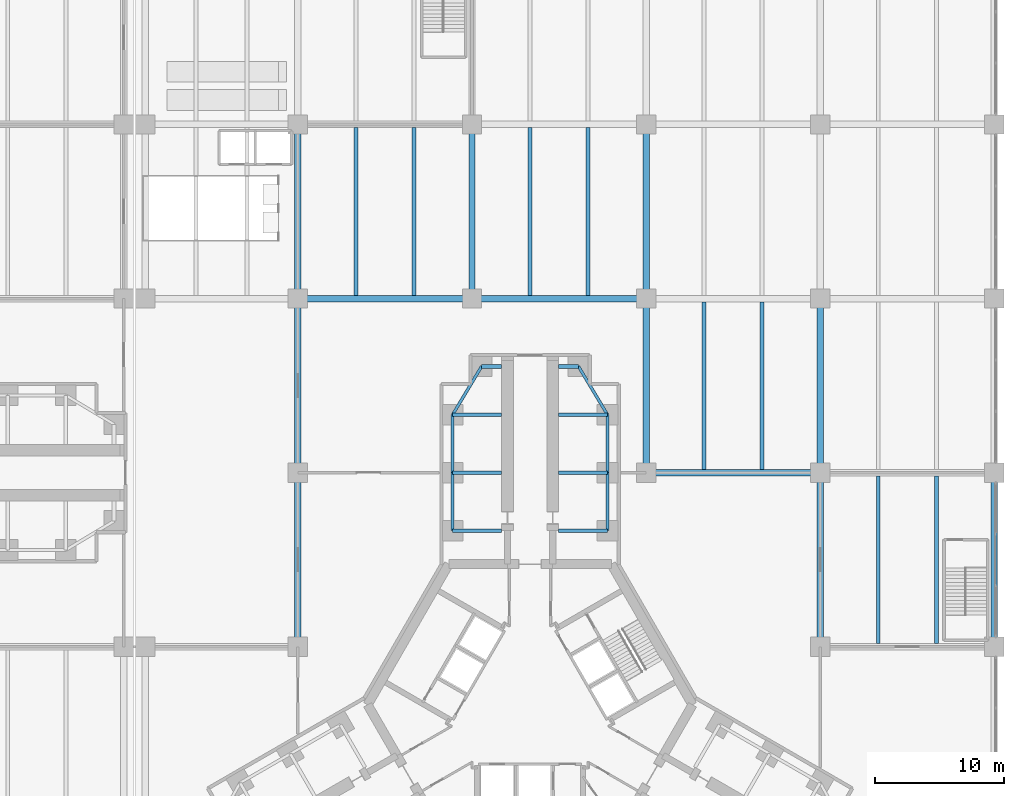
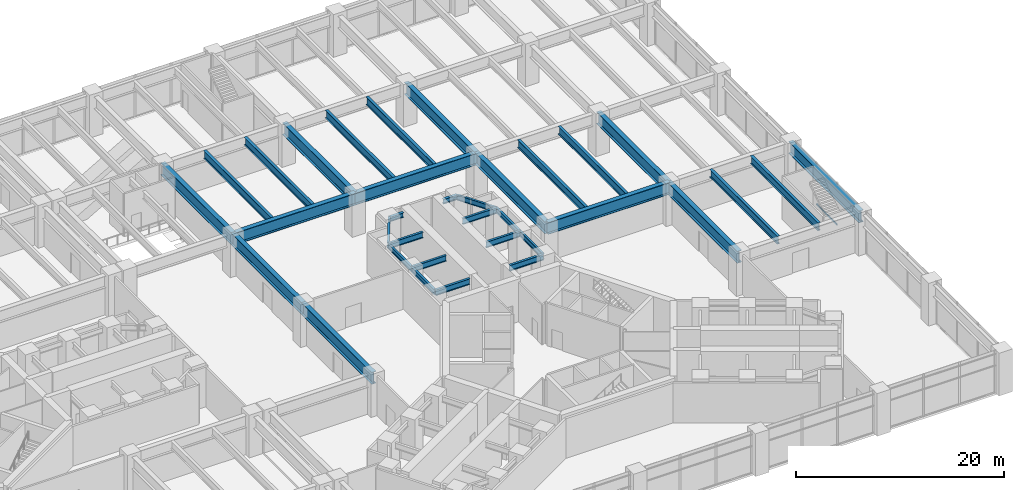
# One storey, part 11 of 32: 34 beams, 1 member, 1 element without a shape of its own.
"""IFC4 building model written with IfcOpenShell, lengths in metres."""

import ifcopenshell
import ifcopenshell.guid

model = None  # the IFC model being written
_history = None  # IfcOwnerHistory: only IFC2X3 demands one
_inside = {}  # id of a spatial element -> (the spatial element, [elements in it])
_under = {}  # id of a project, library or spatial element -> (it, [spatial elements below it])
_declared = {}  # id of a project -> (the project, [libraries it declares])
_typed = {}  # id of a type object -> (the type object, [elements of that type])
_made_of = {}  # id of a material, layer set ... -> (it, [elements and type objects made of it])


def new_model(schema):
    """Start an empty IFC model of exactly this schema.

    Asked for "IFC4X3", IfcOpenShell would pick the latest addendum, in which some entities
    have other attributes; the version numbers below select the first issue.
    IFC2X3 requires an IfcOwnerHistory on every rooted entity: one is made here for all.
    """
    global model, _history
    if schema == "IFC4X3":
        model = ifcopenshell.file(schema_version=(4, 3, 0, 0))
    else:
        model = ifcopenshell.file(schema=schema)
    _inside.clear()
    _under.clear()
    _declared.clear()
    _typed.clear()
    _made_of.clear()
    _history = None
    if model.schema == "IFC2X3":
        org = make("IfcOrganization", Name="unknown")
        user = make(
            "IfcPersonAndOrganization",
            ThePerson=make("IfcPerson", FamilyName="unknown"),
            TheOrganization=org,
        )
        app = make(
            "IfcApplication",
            ApplicationDeveloper=org,
            Version="unknown",
            ApplicationFullName="unknown",
            ApplicationIdentifier="unknown",
        )
        _history = make(
            "IfcOwnerHistory",
            OwningUser=user,
            OwningApplication=app,
            ChangeAction="ADDED",
            CreationDate=0,
        )
    return model


def make(cls, **values):
    """One entity of the class cls with the attributes given. An attribute that is None is left unset."""
    return model.create_entity(
        cls, **{name: value for name, value in values.items() if value is not None}
    )


def rooted(cls, **values):
    """An entity with a GlobalId (a new one), such as an element, a storey or a relation."""
    return make(cls, GlobalId=ifcopenshell.guid.new(), OwnerHistory=_history, **values)


def si_unit(unit_type, name, prefix=None):
    """IfcSIUnit, for example si_unit("LENGTHUNIT", "METRE", prefix="MILLI")."""
    return make("IfcSIUnit", UnitType=unit_type, Prefix=prefix, Name=name)


def assignment(units):
    """IfcUnitAssignment: the units of a project."""
    return None if units is None else make("IfcUnitAssignment", Units=units)


def point(xyz):
    """IfcCartesianPoint."""
    return None if xyz is None else make("IfcCartesianPoint", Coordinates=xyz)


def direction(xyz):
    """IfcDirection."""
    return None if xyz is None else make("IfcDirection", DirectionRatios=xyz)


def frame(location, z_axis=None, x_axis=None):
    """IfcAxis2Placement3D, a coordinate frame: its origin and axes. An axis left out is left unset."""
    return make(
        "IfcAxis2Placement3D",
        Location=point(location),
        Axis=direction(z_axis),
        RefDirection=direction(x_axis),
    )


def frame_2d(location, x_axis=None):
    """IfcAxis2Placement2D, a coordinate frame in the plane: its origin and x axis."""
    return make(
        "IfcAxis2Placement2D", Location=point(location), RefDirection=direction(x_axis)
    )


def origin():
    """The frame at (0, 0, 0) with its axes left unset."""
    return frame((0.0, 0.0, 0.0))


def origin_2d():
    """The frame at (0, 0) in the plane with its x axis left unset."""
    return frame_2d((0.0, 0.0))


def place(relative_to, where):
    """IfcLocalPlacement: puts the frame where relative to a parent placement (None: the world)."""
    return make(
        "IfcLocalPlacement", PlacementRelTo=relative_to, RelativePlacement=where
    )


def context(
    kind, dimensions, precision=None, world=None, true_north=None, identifier=None
):
    """IfcGeometricRepresentationContext, for example the 3D "Model" context."""
    return make(
        "IfcGeometricRepresentationContext",
        ContextIdentifier=identifier,
        ContextType=kind,
        CoordinateSpaceDimension=dimensions,
        Precision=precision,
        WorldCoordinateSystem=world,
        TrueNorth=true_north,
    )


def subcontext(parent, identifier, kind, view, scale=None):
    """IfcGeometricRepresentationSubContext, for example "Body" below "Model"."""
    return make(
        "IfcGeometricRepresentationSubContext",
        ContextIdentifier=identifier,
        ContextType=kind,
        ParentContext=parent,
        TargetScale=scale,
        TargetView=view,
    )


def project(units=None, contexts=None):
    """IfcProject with its units and contexts."""
    return rooted(
        "IfcProject",
        Name="project",
        RepresentationContexts=contexts,
        UnitsInContext=assignment(units),
    )


def spatial(cls, under=None, at=None, **own):
    """A site, building, storey or space (cls), placed at a placement, below another one or the project."""
    s = rooted(cls, ObjectPlacement=at, **own)
    if under is not None:
        _under.setdefault(under.id(), (under, []))[1].append(s)
    return s


def profile(cls, at=None, kind="AREA", **sizes):
    """A parametric profile (cls). Its sizes go by their IFC names, for example OverallWidth=200.0."""
    return make(cls, ProfileType=kind, Position=at, **sizes)


def rectangle(**sizes):
    """IfcRectangleProfileDef."""
    return profile("IfcRectangleProfileDef", **sizes)


def i_section(**sizes):
    """IfcIShapeProfileDef."""
    return profile("IfcIShapeProfileDef", **sizes)


def extrude(swept, where, along, depth):
    """IfcExtrudedAreaSolid: the profile swept, set in the frame where, extruded along a direction by depth."""
    return make(
        "IfcExtrudedAreaSolid",
        SweptArea=swept,
        Position=where,
        ExtrudedDirection=direction(along),
        Depth=depth,
    )


def shape(context_of_items, identifier, shape_type, items):
    """IfcShapeRepresentation: the items that make up one representation, for example the "Body"."""
    return make(
        "IfcShapeRepresentation",
        ContextOfItems=context_of_items,
        RepresentationIdentifier=identifier,
        RepresentationType=shape_type,
        Items=items,
    )


def material(Name=None, Category=None):
    """IfcMaterial."""
    return make("IfcMaterial", Name=Name, Category=Category)


def material_profile(
    of_material, cross_section, Name=None, Category=None, Priority=None
):
    """IfcMaterialProfile: a cross section and its material."""
    return make(
        "IfcMaterialProfile",
        Name=Name,
        Material=of_material,
        Profile=cross_section,
        Priority=Priority,
        Category=Category,
    )


def profile_set(profiles, Name=None, composite=None):
    """IfcMaterialProfileSet."""
    return make(
        "IfcMaterialProfileSet",
        Name=Name,
        MaterialProfiles=profiles,
        CompositeProfile=composite,
    )


def made_of(thing, what):
    """Note that an element or type object is made of a material, layer set ...; save() writes the relation."""
    if what is not None:
        _made_of.setdefault(what.id(), (what, []))[1].append(thing)
    return thing


def type_object(cls, material=None, **own):
    """A type object (cls), such as IfcWallType, which elements share."""
    return made_of(rooted(cls, **own), material)


def element(
    cls,
    number,
    at=None,
    inside=None,
    cuts=None,
    type_object=None,
    material=None,
    context=None,
    identifier="Body",
    shape_type=None,
    held_by="IfcProductDefinitionShape",
    body=None,
    shapes=None,
    **own,
):
    """One element of the class cls, such as IfcWall. Its Tag is "e" and its number.

    at: its placement. inside: the storey or other place that contains it. cuts: it is an
    opening in that element (IfcRelVoidsElement). A single representation is given by context,
    identifier, shape_type and body (its items); several are given by shapes. held_by: the class
    of the entity that holds the representations. save() writes the other relations.
    """
    e = rooted(cls, Tag="e%d" % number, ObjectPlacement=at, **own)
    if body is not None:
        shapes = [shape(context, identifier, shape_type, body)]
    if shapes is not None:
        e.Representation = make(held_by, Representations=shapes)
    if inside is not None:
        _inside.setdefault(inside.id(), (inside, []))[1].append(e)
    if cuts is not None:
        rooted(
            "IfcRelVoidsElement", RelatingBuildingElement=cuts, RelatedOpeningElement=e
        )
    if type_object is not None:
        _typed.setdefault(type_object.id(), (type_object, []))[1].append(e)
    return made_of(e, material)


def aggregate(whole, parts):
    """IfcRelAggregates: a whole, such as a stair, and the parts it consists of."""
    return rooted("IfcRelAggregates", RelatingObject=whole, RelatedObjects=parts)


def save(model, path):
    """Write the relations noted so far, then the file.

    IfcRelAggregates (storeys below a building ...), IfcRelContainedInSpatialStructure (elements
    in a storey), IfcRelDefinesByType, IfcRelAssociatesMaterial and IfcRelDeclares: one each for
    every whole, place, type object, material and project.
    """
    for whole, parts in _under.values():
        aggregate(whole, parts)
    for where, things in _inside.values():
        rooted(
            "IfcRelContainedInSpatialStructure",
            RelatedElements=things,
            RelatingStructure=where,
        )
    for kind, things in _typed.values():
        rooted("IfcRelDefinesByType", RelatedObjects=things, RelatingType=kind)
    for what, things in _made_of.values():
        rooted("IfcRelAssociatesMaterial", RelatedObjects=things, RelatingMaterial=what)
    for by, libraries in _declared.values():
        rooted("IfcRelDeclares", RelatingContext=by, RelatedDefinitions=libraries)
    model.write(path)


model = new_model("IFC4")

# Units and contexts
model_context = context("Model", 3, precision=1e-05, world=origin(), true_north=direction((0.0, 1.0)))
body_context = subcontext(model_context, "Body", "Model", "MODEL_VIEW")
ifc_project = project(units=[si_unit("LENGTHUNIT", "METRE"), si_unit("AREAUNIT", "SQUARE_METRE"), si_unit("VOLUMEUNIT", "CUBIC_METRE"), si_unit("PLANEANGLEUNIT", "RADIAN"), si_unit("MASSUNIT", "GRAM", prefix="KILO")], contexts=[model_context])

# Site, building, storey
site_placement = place(None, origin())
site = spatial("IfcSite", under=ifc_project, at=site_placement, CompositionType="ELEMENT")
building_placement = place(site_placement, origin())
building = spatial("IfcBuilding", under=site, at=building_placement, Name="Upepo Twin Towers", CompositionType="ELEMENT")
storey_placement = place(building_placement, frame((0.0, 0.0, 5.5)))
storey = spatial("IfcBuildingStorey", under=building, at=storey_placement, Name="L01", CompositionType="ELEMENT", Elevation=5.5)

# Beams
ifc_material_1 = material(Name="Steel S355", Category="steel")
ifc_material_profile_1 = material_profile(ifc_material_1, i_section(OverallWidth=0.5, OverallDepth=1.39990234375, WebThickness=0.02490234375, FlangeThickness=0.050048828125, FilletRadius=0.008056640625, at=origin_2d()), Name="PG 1400x500x25x50")
ifc_profile_set_1 = profile_set([ifc_material_profile_1], Name="Steel S355")
beam_type_1 = type_object("IfcBeamType", Name="Beam PG 1400x500x25x50", PredefinedType="BEAM", material=ifc_profile_set_1)
for number, where, z_axis, x_axis, name in (
    (1, (67.5, 0.0, 3.949951171875), (1.0, 0.0, 0.0), (0.0, 1.0, 0.0), "Podium girder D/8-9"),
    (2, (40.5, 13.5, 3.949951171875), (1.0, 0.0, 0.0), (0.0, 1.0, 0.0), "Podium girder E/6-7"),
    (3, (54.0, 13.5, 3.949951171875), (1.0, 0.0, 0.0), (0.0, 1.0, 0.0), "Podium girder E/7-8"),
    (4, (40.5, -13.5, 3.949951171875), (0.0, 1.0, 0.0), (-1.0, 0.0, 0.0), "Podium girder 6/C-D"),
    (5, (40.5, 0.0, 3.949951171875), (0.0, 1.0, 0.0), (-1.0, 0.0, 0.0), "Podium girder 6/D-E"),
    (6, (40.5, 13.5, 3.949951171875), (0.0, 1.0, 0.0), (-1.0, 0.0, 0.0), "Podium girder 6/E-F"),
    (7, (54.0, 13.5, 3.949951171875), (0.0, 1.0, 0.0), (-1.0, 0.0, 0.0), "Podium girder 7/E-F"),
    (8, (67.5, 0.0, 3.949951171875), (0.0, 1.0, 0.0), (-1.0, 0.0, 0.0), "Podium girder 8/D-E"),
    (9, (67.5, 13.5, 3.949951171875), (0.0, 1.0, 0.0), (-1.0, 0.0, 0.0), "Podium girder 8/E-F"),
    (10, (81.0, -13.5, 3.949951171875), (0.0, 1.0, 0.0), (-1.0, 0.0, 0.0), "Podium girder 9/C-D"),
    (11, (81.0, 0.0, 3.949951171875), (0.0, 1.0, 0.0), (-1.0, 0.0, 0.0), "Podium girder 9/D-E"),
    (12, (94.5, -13.5, 3.949951171875), (0.0, 1.0, 0.0), (-1.0, 0.0, 0.0), "Podium girder 10/C-D"),
):
    element("IfcBeam", number, at=place(storey_placement, frame(where, z_axis=z_axis, x_axis=x_axis)), inside=storey, type_object=beam_type_1, Name=name, PredefinedType="BEAM", context=body_context, shape_type="SweptSolid", body=[
        extrude(i_section(OverallWidth=0.5, OverallDepth=1.39990234375, WebThickness=0.02490234375, FlangeThickness=0.050048828125, FilletRadius=0.008056640625, at=origin_2d()), origin(), (0.0, 0.0, 1.0), 13.5),
    ])
ifc_material_2 = material(Name="Steel S355", Category="steel")
ifc_material_profile_2 = material_profile(ifc_material_2, i_section(OverallWidth=0.31201171875, OverallDepth=0.54345703125, WebThickness=0.0126953125, FlangeThickness=0.020263671875, FilletRadius=0.0126953125, at=origin_2d()), Name="UB 533x312x150")
ifc_profile_set_2 = profile_set([ifc_material_profile_2], Name="Steel S355")
beam_type_2 = type_object("IfcBeamType", Name="Beam UB 533x312x150", PredefinedType="BEAM", material=ifc_profile_set_2)
for number, where, z_axis, x_axis, name in (
    (13, (54.75, 8.25, 4.378173828125), (1.0, 0.0, 0.0), (0.0, 1.0, 0.0), "T2 nose beam AL"),
    (14, (62.25, 8.25, 4.378173828125), (-1.0, 0.0, 0.0), (0.0, -1.0, 0.0), "T2 nose beam AR"),
):
    element("IfcBeam", number, at=place(storey_placement, frame(where, z_axis=z_axis, x_axis=x_axis)), inside=storey, type_object=beam_type_2, Name=name, PredefinedType="BEAM", context=body_context, shape_type="SweptSolid", body=[
        extrude(i_section(OverallWidth=0.31201171875, OverallDepth=0.54345703125, WebThickness=0.0126953125, FlangeThickness=0.020263671875, FilletRadius=0.0126953125, at=origin_2d()), origin(), (0.0, 0.0, 1.0), 1.550048828125),
    ])
ifc_material_3 = material(Name="Steel S355", Category="steel")
ifc_material_profile_3 = material_profile(ifc_material_3, i_section(OverallWidth=0.228271484375, OverallDepth=0.607666015625, WebThickness=0.010986328125, FlangeThickness=0.017333984375, FilletRadius=0.0126953125, at=origin_2d()), Name="UB 610x229x113")
ifc_profile_set_3 = profile_set([ifc_material_profile_3], Name="Steel S355")
beam_type_3 = type_object("IfcBeamType", Name="Beam UB 610x229x113", PredefinedType="BEAM", material=ifc_profile_set_3)
for number, where, z_axis, x_axis, name in (
    (15, (52.5, -4.5, 4.34619140625), (0.0, 1.0, 0.0), (-1.0, 0.0, 0.0), "T2 edge beam AL 13.5-18.0"),
    (16, (52.5, 0.0, 4.34619140625), (0.0, 1.0, 0.0), (-1.0, 0.0, 0.0), "T2 edge beam AL 18.0-22.5"),
):
    element("IfcBeam", number, at=place(storey_placement, frame(where, z_axis=z_axis, x_axis=x_axis)), inside=storey, type_object=beam_type_3, Name=name, PredefinedType="BEAM", context=body_context, shape_type="SweptSolid", body=[
        extrude(i_section(OverallWidth=0.228271484375, OverallDepth=0.607666015625, WebThickness=0.010986328125, FlangeThickness=0.017333984375, FilletRadius=0.0126953125, at=origin_2d()), origin(), (0.0, 0.0, 1.0), 4.5),
    ])
beam_1_placement = place(storey_placement, frame((52.5, 4.5, 4.34619140625), z_axis=(0.514495755428, 0.857492925713, 0.0), x_axis=(-0.857492925713, 0.514495755428, 0.0)))
element("IfcBeam", 17, at=beam_1_placement, inside=storey, type_object=beam_type_3, Name="T2 nose edge beam AL", PredefinedType="BEAM", context=body_context, shape_type="SweptSolid", body=[
    extrude(i_section(OverallWidth=0.228271484375, OverallDepth=0.607666015625, WebThickness=0.010986328125, FlangeThickness=0.017333984375, FilletRadius=0.0126953125, at=origin_2d()), origin(), (0.0, 0.0, 1.0), 4.373291015625),
])
for number, where, z_axis, x_axis, name in (
    (18, (64.5, -4.5, 4.34619140625), (0.0, 1.0, 0.0), (-1.0, 0.0, 0.0), "T2 edge beam AR 13.5-18.0"),
    (19, (64.5, 0.0, 4.34619140625), (0.0, 1.0, 0.0), (-1.0, 0.0, 0.0), "T2 edge beam AR 18.0-22.5"),
):
    element("IfcBeam", number, at=place(storey_placement, frame(where, z_axis=z_axis, x_axis=x_axis)), inside=storey, type_object=beam_type_3, Name=name, PredefinedType="BEAM", context=body_context, shape_type="SweptSolid", body=[
        extrude(i_section(OverallWidth=0.228271484375, OverallDepth=0.607666015625, WebThickness=0.010986328125, FlangeThickness=0.017333984375, FilletRadius=0.0126953125, at=origin_2d()), origin(), (0.0, 0.0, 1.0), 4.5),
    ])
beam_2_placement = place(storey_placement, frame((64.5, 4.5, 4.34619140625), z_axis=(-0.514495755428, 0.857492925713, 0.0), x_axis=(-0.857492925713, -0.514495755428, 0.0)))
element("IfcBeam", 20, at=beam_2_placement, inside=storey, type_object=beam_type_3, Name="T2 nose edge beam AR", PredefinedType="BEAM", context=body_context, shape_type="SweptSolid", body=[
    extrude(i_section(OverallWidth=0.228271484375, OverallDepth=0.607666015625, WebThickness=0.010986328125, FlangeThickness=0.017333984375, FilletRadius=0.0126953125, at=origin_2d()), origin(), (0.0, 0.0, 1.0), 4.373291015625),
])
ifc_material_4 = material(Name="Steel S355", Category="steel")
ifc_material_profile_4 = material_profile(ifc_material_4, i_section(OverallWidth=0.253662109375, OverallDepth=0.68359375, WebThickness=0.012451171875, FlangeThickness=0.01904296875, FilletRadius=0.01513671875, at=origin_2d()), Name="UB 686x254x140")
ifc_profile_set_4 = profile_set([ifc_material_profile_4], Name="Steel S355")
beam_type_4 = type_object("IfcBeamType", Name="Beam UB 686x254x140", PredefinedType="BEAM", material=ifc_profile_set_4)
for number, where, z_axis, x_axis, name in (
    (21, (52.5, -4.5, 4.308349609375), (1.0, 0.0, 0.0), (0.0, 1.0, 0.0), "T2 girder AL at 13.5"),
    (22, (52.5, 0.0, 4.308349609375), (1.0, 0.0, 0.0), (0.0, 1.0, 0.0), "T2 girder AL at 18.0"),
    (23, (52.5, 4.5, 4.308349609375), (1.0, 0.0, 0.0), (0.0, 1.0, 0.0), "T2 girder AL at 22.5"),
    (24, (64.5, -4.5, 4.308349609375), (-1.0, 0.0, 0.0), (0.0, -1.0, 0.0), "T2 girder AR at 13.5"),
    (25, (64.5, 0.0, 4.308349609375), (-1.0, 0.0, 0.0), (0.0, -1.0, 0.0), "T2 girder AR at 18.0"),
    (26, (64.5, 4.5, 4.308349609375), (-1.0, 0.0, 0.0), (0.0, -1.0, 0.0), "T2 girder AR at 22.5"),
):
    element("IfcBeam", number, at=place(storey_placement, frame(where, z_axis=z_axis, x_axis=x_axis)), inside=storey, type_object=beam_type_4, Name=name, PredefinedType="BEAM", context=body_context, shape_type="SweptSolid", body=[
        extrude(i_section(OverallWidth=0.253662109375, OverallDepth=0.68359375, WebThickness=0.012451171875, FlangeThickness=0.01904296875, FilletRadius=0.01513671875, at=origin_2d()), origin(), (0.0, 0.0, 1.0), 3.800048828125),
    ])
ifc_material_5 = material(Name="Steel S355", Category="steel")
ifc_material_profile_5 = material_profile(ifc_material_5, i_section(OverallWidth=0.305419921875, OverallDepth=0.91845703125, WebThickness=0.017333984375, FlangeThickness=0.02783203125, FilletRadius=0.01904296875, at=origin_2d()), Name="UB 914x305x253")
ifc_profile_set_5 = profile_set([ifc_material_profile_5], Name="Steel S355")
beam_type_5 = type_object("IfcBeamType", Name="Secondary beam UB 914x305x253", PredefinedType="JOIST", material=ifc_profile_set_5)
for number, where, z_axis, x_axis, name in (
    (27, (45.0, 13.75, 4.19091796875), (0.0, 1.0, 0.0), (-1.0, 0.0, 0.0), "Podium secondary beam E6.1"),
    (28, (49.5, 13.75, 4.19091796875), (0.0, 1.0, 0.0), (-1.0, 0.0, 0.0), "Podium secondary beam E6.2"),
    (29, (58.5, 13.75, 4.19091796875), (0.0, 1.0, 0.0), (-1.0, 0.0, 0.0), "Podium secondary beam E7.1"),
    (30, (63.0, 13.75, 4.19091796875), (0.0, 1.0, 0.0), (-1.0, 0.0, 0.0), "Podium secondary beam E7.2"),
    (31, (72.0, 0.25, 4.19091796875), (0.0, 1.0, 0.0), (-1.0, 0.0, 0.0), "Podium secondary beam D8.1"),
    (32, (76.5, 0.25, 4.19091796875), (0.0, 1.0, 0.0), (-1.0, 0.0, 0.0), "Podium secondary beam D8.2"),
    (33, (85.5, -13.25, 4.19091796875), (0.0, 1.0, 0.0), (-1.0, 0.0, 0.0), "Podium secondary beam C9.1"),
    (34, (90.0, -13.25, 4.19091796875), (0.0, 1.0, 0.0), (-1.0, 0.0, 0.0), "Podium secondary beam C9.2"),
):
    element("IfcBeam", number, at=place(storey_placement, frame(where, z_axis=z_axis, x_axis=x_axis)), inside=storey, type_object=beam_type_5, Name=name, PredefinedType="JOIST", context=body_context, shape_type="SweptSolid", body=[
        extrude(i_section(OverallWidth=0.305419921875, OverallDepth=0.91845703125, WebThickness=0.017333984375, FlangeThickness=0.02783203125, FilletRadius=0.01904296875, at=origin_2d()), origin(), (0.0, 0.0, 1.0), 13.0),
    ])

# Curtain wall, member
ifc_material_6 = material(Name="Aluminium and clear glass", Category="aluminium")
curtain_wall_type = type_object("IfcCurtainWallType", Name="Podium curtain wall PW1", PredefinedType="NOTDEFINED", material=ifc_material_6)
curtain_wall_placement = place(storey_placement, origin())
curtain_wall = element("IfcCurtainWall", 35, at=curtain_wall_placement, inside=storey, type_object=curtain_wall_type, Name="Podium L01 curtain wall E3", PredefinedType="NOTDEFINED")
ifc_material_7 = material(Name="Aluminium transom", Category="aluminium")
ifc_material_profile_6 = material_profile(ifc_material_7, rectangle(XDim=0.06494140625, YDim=0.14990234375, at=origin_2d()), Name="TRANSOM 65x150 PODIUM")
ifc_profile_set_6 = profile_set([ifc_material_profile_6], Name="Aluminium transom")
member_type = type_object("IfcMemberType", Name="Transom 65x150 PW1", PredefinedType="USERDEFINED", material=ifc_profile_set_6)
member_placement = place(storey_placement, frame((94.60009765625, -8.705810546875, 0.074951171875), z_axis=(0.0, 1.0, 0.0), x_axis=(-1.0, 0.0, 0.0)))
member = element("IfcMember", 36, at=member_placement, type_object=member_type, Name="Podium L01 curtain wall E3 transom 2", ObjectType="TRANSOM", PredefinedType="USERDEFINED", context=body_context, shape_type="SweptSolid", body=[
    extrude(rectangle(XDim=0.06494140625, YDim=0.14990234375, at=origin_2d()), origin(), (0.0, 0.0, 1.0), 3.91162109375),
])
aggregate(curtain_wall, [member])

save(model, "model.ifc")
